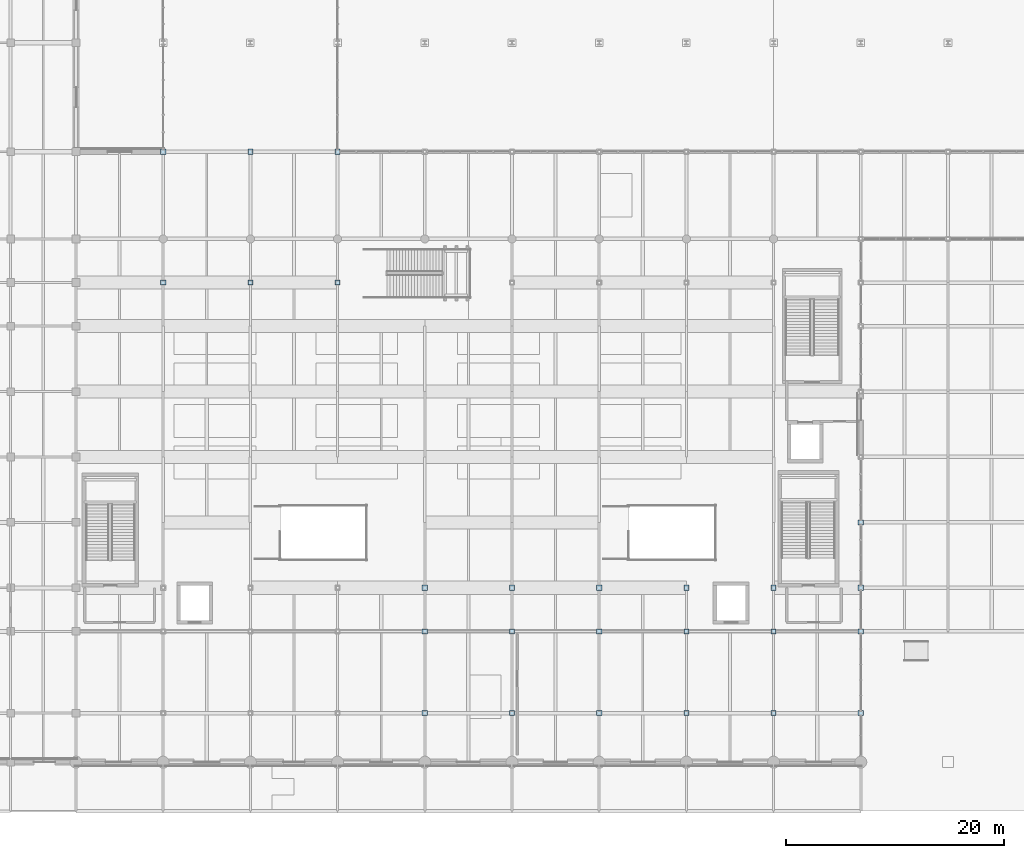
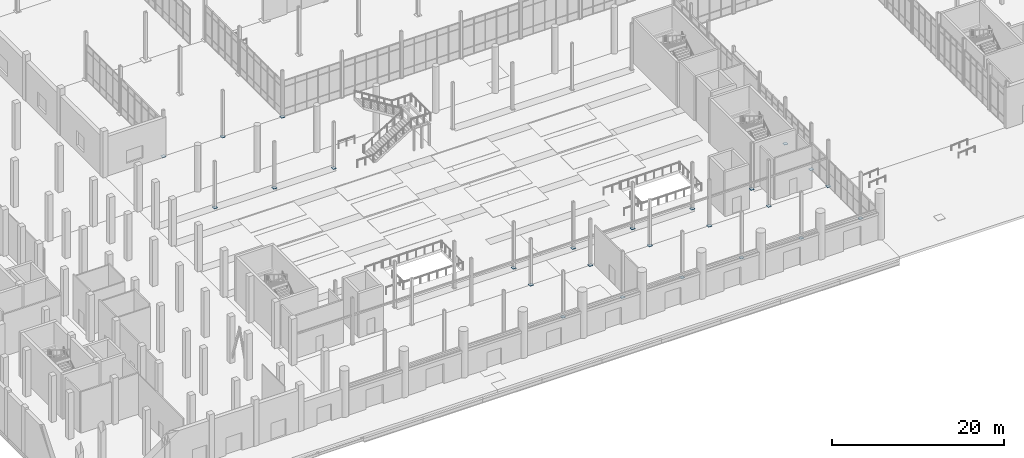
# One storey, part 113 of 140: 25 plates.
"""IFC4 building model written with IfcOpenShell, lengths in metres."""

from ifc_helpers import new_model, si_unit, direction, frame, origin, origin_2d, place, context, subcontext, project, spatial, rectangle, extrude, material, layer, layer_set, type_object, element, save


model = new_model("IFC4")

# Units and contexts
model_context = context("Model", 3, precision=1e-05, world=origin(), true_north=direction((0.0, 1.0)))
body_context = subcontext(model_context, "Body", "Model", "MODEL_VIEW")
ifc_project = project(units=[si_unit("LENGTHUNIT", "METRE"), si_unit("AREAUNIT", "SQUARE_METRE"), si_unit("VOLUMEUNIT", "CUBIC_METRE"), si_unit("PLANEANGLEUNIT", "RADIAN"), si_unit("MASSUNIT", "GRAM", prefix="KILO")], contexts=[model_context])

# Site, building, storey
site_placement = place(None, origin())
site = spatial("IfcSite", under=ifc_project, at=site_placement, CompositionType="ELEMENT")
building_placement = place(site_placement, origin())
building = spatial("IfcBuilding", under=site, at=building_placement, Name="Verrall Gate Interchange", CompositionType="ELEMENT")
storey_placement = place(building_placement, origin())
storey = spatial("IfcBuildingStorey", under=building, at=storey_placement, Name="L01", CompositionType="ELEMENT", Elevation=0.0)

# Plates
ifc_material = material(Name="Structural Steel CSA G40.21 350WT Cat 4", Category="steel")
ifc_layer = layer(ifc_material, 0.0400390625)
ifc_layer_set = layer_set([ifc_layer], Name="Structural Steel CSA G40.21 350WT Cat 4")
plate_type = type_object("IfcPlateType", Name="BP-01 Base Plate 40", PredefinedType="USERDEFINED", material=ifc_layer_set)
for number, where, z_axis, x_axis, name in (
    (1, (44.0, 44.0, -0.02001953125), (0.0, 0.0, 1.0), (1.0, 0.0, 0.0), "L01 Hollow Column Transition Cap Plate 0851"),
    (2, (44.0, 56.0, -0.02001953125), (0.0, 0.0, 1.0), (1.0, 0.0, 0.0), "L01 Hollow Column Transition Cap Plate 0859"),
    (3, (52.0, 44.0, -0.02001953125), (0.0, 0.0, 1.0), (1.0, 0.0, 0.0), "L01 Hollow Column Transition Cap Plate 0889"),
    (4, (52.0, 56.0, -0.02001953125), (0.0, 0.0, 1.0), (1.0, 0.0, 0.0), "L01 Hollow Column Transition Cap Plate 0897"),
    (5, (60.0, 44.0, -0.02001953125), (0.0, 0.0, 1.0), (1.0, 0.0, 0.0), "L01 Hollow Column Transition Cap Plate 0925"),
    (6, (60.0, 56.0, -0.02001953125), (0.0, 0.0, 1.0), (1.0, 0.0, 0.0), "L01 Hollow Column Transition Cap Plate 0933"),
    (7, (68.0, 4.5, -0.02001953125), (0.0, 0.0, 1.0), (1.0, 0.0, 0.0), "L01 Hollow Column Transition Cap Plate 0943"),
    (8, (68.0, 12.0, -0.02001953125), (0.0, 0.0, 1.0), (1.0, 0.0, 0.0), "L01 Hollow Column Transition Cap Plate 0947"),
    (9, (68.0, 16.0, -0.02001953125), (0.0, 0.0, 1.0), (1.0, 0.0, 0.0), "L01 Hollow Column Transition Cap Plate 0951"),
    (10, (76.0, 4.5, -0.02001953125), (0.0, 0.0, 1.0), (1.0, 0.0, 0.0), "L01 Hollow Column Transition Cap Plate 0977"),
    (11, (76.0, 12.0, -0.02001953125), (0.0, 0.0, 1.0), (1.0, 0.0, 0.0), "L01 Hollow Column Transition Cap Plate 0981"),
    (12, (76.0, 16.0, -0.02001953125), (0.0, 0.0, 1.0), (1.0, 0.0, 0.0), "L01 Hollow Column Transition Cap Plate 0985"),
    (13, (84.0, 4.5, -0.02001953125), (0.0, 0.0, 1.0), (1.0, 0.0, 0.0), "L01 Hollow Column Transition Cap Plate 1015"),
    (14, (84.0, 12.0, -0.02001953125), (0.0, 0.0, 1.0), (1.0, 0.0, 0.0), "L01 Hollow Column Transition Cap Plate 1019"),
    (15, (84.0, 16.0, -0.02001953125), (0.0, 0.0, 1.0), (1.0, 0.0, 0.0), "L01 Hollow Column Transition Cap Plate 1023"),
    (16, (92.0, 4.5, -0.02001953125), (0.0, 0.0, 1.0), (1.0, 0.0, 0.0), "L01 Hollow Column Transition Cap Plate 1053"),
    (17, (92.0, 12.0, -0.02001953125), (0.0, 0.0, 1.0), (1.0, 0.0, 0.0), "L01 Hollow Column Transition Cap Plate 1057"),
    (18, (92.0, 16.0, -0.02001953125), (0.0, 0.0, 1.0), (1.0, 0.0, 0.0), "L01 Hollow Column Transition Cap Plate 1061"),
    (19, (100.0, 4.5, -0.02001953125), (0.0, 0.0, 1.0), (1.0, 0.0, 0.0), "L01 Hollow Column Transition Cap Plate 1089"),
    (20, (100.0, 12.0, -0.02001953125), (0.0, 0.0, 1.0), (1.0, 0.0, 0.0), "L01 Hollow Column Transition Cap Plate 1093"),
    (21, (100.0, 16.0, -0.02001953125), (0.0, 0.0, 1.0), (1.0, 0.0, 0.0), "L01 Hollow Column Transition Cap Plate 1097"),
    (22, (108.0, 4.5, -0.02001953125), (0.0, 0.0, 1.0), (1.0, 0.0, 0.0), "L01 Hollow Column Transition Cap Plate 1127"),
    (23, (108.0, 12.0, -0.02001953125), (0.0, 0.0, 1.0), (1.0, 0.0, 0.0), "L01 Hollow Column Transition Cap Plate 1131"),
    (24, (108.0, 16.0, -0.02001953125), (0.0, 0.0, 1.0), (1.0, 0.0, 0.0), "L01 Hollow Column Transition Cap Plate 1135"),
    (25, (108.0, 22.0, -0.02001953125), (0.0, 0.0, 1.0), (1.0, 0.0, 0.0), "L01 Hollow Column Transition Cap Plate 1139"),
):
    element("IfcPlate", number, at=place(storey_placement, frame(where, z_axis=z_axis, x_axis=x_axis)), inside=storey, type_object=plate_type, Name=name, ObjectType="BASE_PLATE", PredefinedType="USERDEFINED", context=body_context, shape_type="SweptSolid", body=[
        extrude(rectangle(XDim=0.47998046875, YDim=0.47998046875, at=origin_2d()), origin(), (0.0, 0.0, 1.0), 0.0400390625),
    ])

save(model, "model.ifc")
